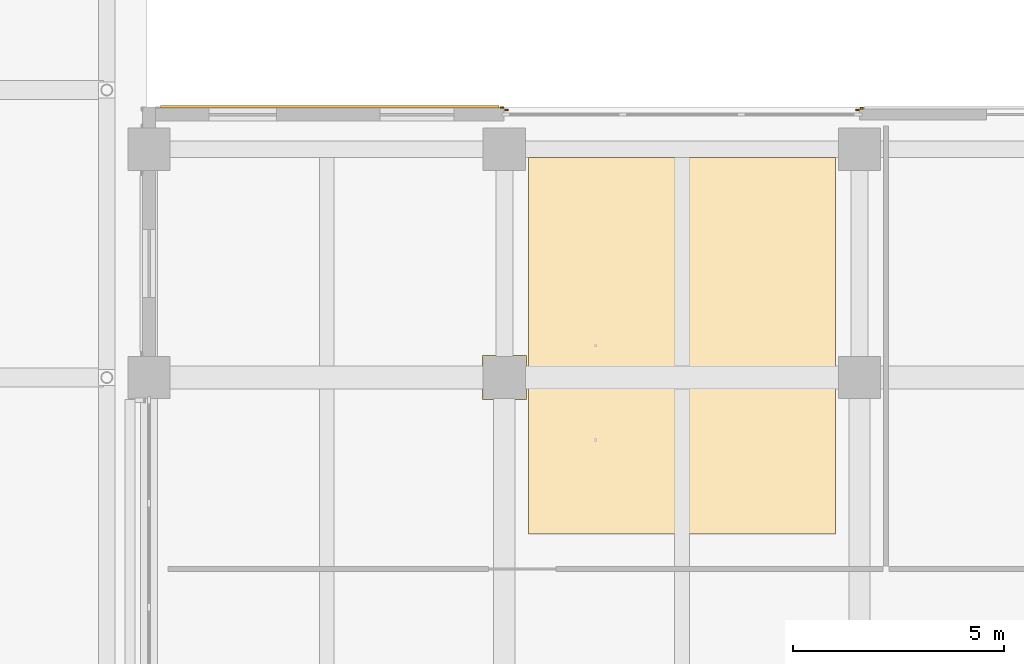
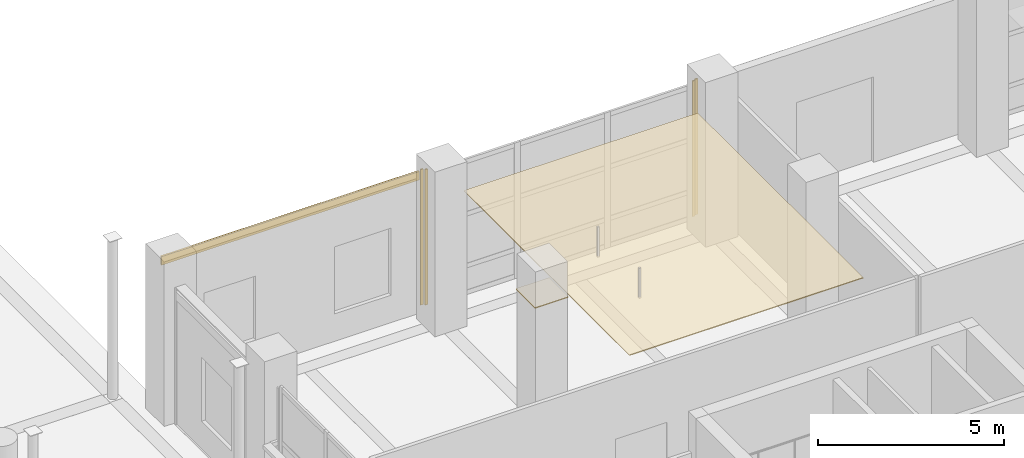
# One storey, part 109 of 140: 6 coverings.
"""IFC4 building model written with IfcOpenShell, lengths in metres."""

from ifc_helpers import new_model, si_unit, direction, frame, origin, origin_2d, place, context, subcontext, project, spatial, polyline, rectangle, outline, extrude, material, layer, layer_set, type_object, element, save


model = new_model("IFC4")

# Units and contexts
model_context = context("Model", 3, precision=1e-05, world=origin(), true_north=direction((0.0, 1.0)))
body_context = subcontext(model_context, "Body", "Model", "MODEL_VIEW")
ifc_project = project(units=[si_unit("LENGTHUNIT", "METRE"), si_unit("AREAUNIT", "SQUARE_METRE"), si_unit("VOLUMEUNIT", "CUBIC_METRE"), si_unit("PLANEANGLEUNIT", "RADIAN"), si_unit("MASSUNIT", "GRAM", prefix="KILO")], contexts=[model_context])

# Site, building, storey
site_placement = place(None, origin())
site = spatial("IfcSite", under=ifc_project, at=site_placement, CompositionType="ELEMENT")
building_placement = place(site_placement, origin())
building = spatial("IfcBuilding", under=site, at=building_placement, Name="Telukmera Botanical Conservatory", CompositionType="ELEMENT")
storey_placement = place(building_placement, origin())
storey = spatial("IfcBuildingStorey", under=building, at=storey_placement, Name="L00", CompositionType="ELEMENT", Elevation=0.0)

# Coverings
ifc_material_1 = material(Name="Mineral fibre acoustic ceiling")
ifc_layer_1 = layer(ifc_material_1, 0.030029296875)
ifc_layer_set_1 = layer_set([ifc_layer_1], Name="Mineral fibre acoustic ceiling")
covering_type_1 = type_object("IfcCoveringType", Name="COV-CEIL-30", PredefinedType="CEILING", material=ifc_layer_set_1)
covering_1_placement = place(storey_placement, frame((0.0, 0.0, 4.219970703125)))
element("IfcCovering", 1, at=covering_1_placement, inside=storey, type_object=covering_type_1, Name="L00 Tropical Flora Exhibition Gallery Suspended Acoustic Ceiling", PredefinedType="CEILING", context=body_context, shape_type="SweptSolid", body=[
    extrude(outline(polyline([(59.3701171875, 39.10009765625), (66.6298828125, 39.10009765625), (66.6298828125, 48.0), (59.3701171875, 48.0), (59.3701171875, 39.10009765625)]), holes=[polyline([(58.280029296875, 42.280029296875), (59.320068359375, 42.280029296875), (59.320068359375, 43.320068359375), (58.280029296875, 43.320068359375), (58.280029296875, 42.280029296875)])]), origin(), (0.0, 0.0, 1.0), 0.030029296875),
])
ifc_material_2 = material(Name="Granite-faced precast concrete C40/50", Category="masonry")
ifc_layer_2 = layer(ifc_material_2, 0.0400390625)
ifc_layer_set_2 = layer_set([ifc_layer_2], Name="Granite-faced precast concrete C40/50")
covering_type_2 = type_object("IfcCoveringType", Name="Granite Precast Column Pier Reveal Casing", PredefinedType="CLADDING", material=ifc_layer_set_2)
for number, where, z_axis, x_axis, name in (
    (2, (58.748046875, 49.18994140625, 0.0), (0.0, 0.0, 1.0), (1.0, 0.0, 0.0), "Granite Pier Reveal V4:L00:N1 R"),
    (3, (58.85205078125, 49.1298828125, 0.0), (0.0, 0.0, 1.0), (1.0, 0.0, 0.0), "Granite Pier Reveal V4:L00:N2 L"),
    (4, (67.14794921875, 49.1298828125, 0.0), (0.0, 0.0, 1.0), (1.0, 0.0, 0.0), "Granite Pier Reveal V4:L00:N2 R"),
    (5, (67.251953125, 49.169921875, 0.0), (0.0, 0.0, 1.0), (1.0, 0.0, 0.0), "Granite Pier Reveal V4:L00:N3 L"),
):
    element("IfcCovering", number, at=place(storey_placement, frame(where, z_axis=z_axis, x_axis=x_axis)), inside=storey, type_object=covering_type_2, Name=name, PredefinedType="CLADDING", context=body_context, shape_type="SweptSolid", body=[
        extrude(rectangle(XDim=0.080078125, YDim=0.0400390625, at=origin_2d()), origin(), (0.0, 0.0, 1.0), 4.449951171875),
    ])
ifc_material_3 = material(Name="Terracotta-faced precast concrete C40/50", Category="masonry")
ifc_layer_3 = layer(ifc_material_3, 0.06005859375)
ifc_layer_set_3 = layer_set([ifc_layer_3], Name="Terracotta-faced precast concrete C40/50")
covering_type_3 = type_object("IfcCoveringType", Name="Polychrome Terracotta Facade Band Cladding", PredefinedType="CLADDING", material=ifc_layer_set_3)
covering_2_placement = place(storey_placement, frame((54.675048828125, 49.199951171875, 4.1298828125), z_axis=(0.0, 0.0, 1.0), x_axis=(1.0, 0.0, 0.0)))
element("IfcCovering", 6, at=covering_2_placement, inside=storey, type_object=covering_type_3, Name="Polychrome Terracotta Band V4:L00:N1", PredefinedType="CLADDING", context=body_context, shape_type="SweptSolid", body=[
    extrude(rectangle(XDim=8.006103515625, YDim=0.06005859375, at=origin_2d()), origin(), (0.0, 0.0, 1.0), 0.280029296875),
])

save(model, "model.ifc")
